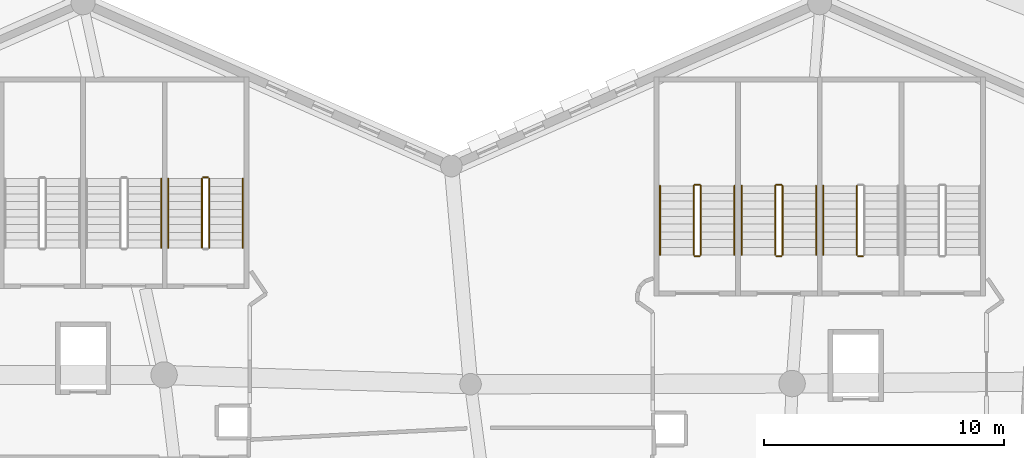
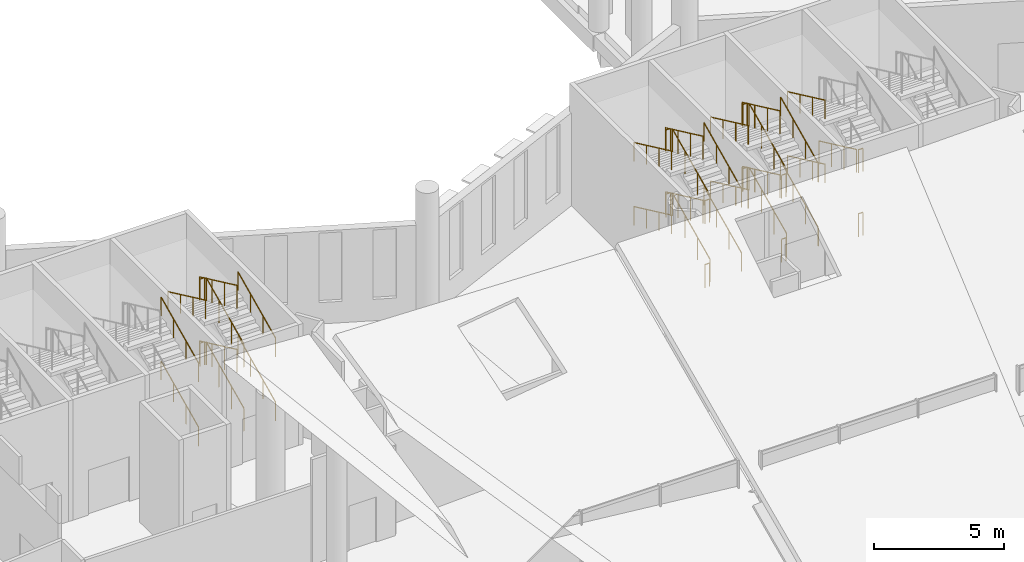
# One storey, part 238 of 249: 40 railings.
"""IFC4 building model written with IfcOpenShell, lengths in metres."""

import ifcopenshell
import ifcopenshell.guid

model = None  # the IFC model being written
_history = None  # IfcOwnerHistory: only IFC2X3 demands one
_inside = {}  # id of a spatial element -> (the spatial element, [elements in it])
_under = {}  # id of a project, library or spatial element -> (it, [spatial elements below it])
_declared = {}  # id of a project -> (the project, [libraries it declares])
_typed = {}  # id of a type object -> (the type object, [elements of that type])
_made_of = {}  # id of a material, layer set ... -> (it, [elements and type objects made of it])


def new_model(schema):
    """Start an empty IFC model of exactly this schema.

    Asked for "IFC4X3", IfcOpenShell would pick the latest addendum, in which some entities
    have other attributes; the version numbers below select the first issue.
    IFC2X3 requires an IfcOwnerHistory on every rooted entity: one is made here for all.
    """
    global model, _history
    if schema == "IFC4X3":
        model = ifcopenshell.file(schema_version=(4, 3, 0, 0))
    else:
        model = ifcopenshell.file(schema=schema)
    _inside.clear()
    _under.clear()
    _declared.clear()
    _typed.clear()
    _made_of.clear()
    _history = None
    if model.schema == "IFC2X3":
        org = make("IfcOrganization", Name="unknown")
        user = make(
            "IfcPersonAndOrganization",
            ThePerson=make("IfcPerson", FamilyName="unknown"),
            TheOrganization=org,
        )
        app = make(
            "IfcApplication",
            ApplicationDeveloper=org,
            Version="unknown",
            ApplicationFullName="unknown",
            ApplicationIdentifier="unknown",
        )
        _history = make(
            "IfcOwnerHistory",
            OwningUser=user,
            OwningApplication=app,
            ChangeAction="ADDED",
            CreationDate=0,
        )
    return model


def make(cls, **values):
    """One entity of the class cls with the attributes given. An attribute that is None is left unset."""
    return model.create_entity(
        cls, **{name: value for name, value in values.items() if value is not None}
    )


def rooted(cls, **values):
    """An entity with a GlobalId (a new one), such as an element, a storey or a relation."""
    return make(cls, GlobalId=ifcopenshell.guid.new(), OwnerHistory=_history, **values)


def si_unit(unit_type, name, prefix=None):
    """IfcSIUnit, for example si_unit("LENGTHUNIT", "METRE", prefix="MILLI")."""
    return make("IfcSIUnit", UnitType=unit_type, Prefix=prefix, Name=name)


def assignment(units):
    """IfcUnitAssignment: the units of a project."""
    return None if units is None else make("IfcUnitAssignment", Units=units)


def point(xyz):
    """IfcCartesianPoint."""
    return None if xyz is None else make("IfcCartesianPoint", Coordinates=xyz)


def direction(xyz):
    """IfcDirection."""
    return None if xyz is None else make("IfcDirection", DirectionRatios=xyz)


def frame(location, z_axis=None, x_axis=None):
    """IfcAxis2Placement3D, a coordinate frame: its origin and axes. An axis left out is left unset."""
    return make(
        "IfcAxis2Placement3D",
        Location=point(location),
        Axis=direction(z_axis),
        RefDirection=direction(x_axis),
    )


def frame_2d(location, x_axis=None):
    """IfcAxis2Placement2D, a coordinate frame in the plane: its origin and x axis."""
    return make(
        "IfcAxis2Placement2D", Location=point(location), RefDirection=direction(x_axis)
    )


def origin():
    """The frame at (0, 0, 0) with its axes left unset."""
    return frame((0.0, 0.0, 0.0))


def origin_2d():
    """The frame at (0, 0) in the plane with its x axis left unset."""
    return frame_2d((0.0, 0.0))


def place(relative_to, where):
    """IfcLocalPlacement: puts the frame where relative to a parent placement (None: the world)."""
    return make(
        "IfcLocalPlacement", PlacementRelTo=relative_to, RelativePlacement=where
    )


def context(
    kind, dimensions, precision=None, world=None, true_north=None, identifier=None
):
    """IfcGeometricRepresentationContext, for example the 3D "Model" context."""
    return make(
        "IfcGeometricRepresentationContext",
        ContextIdentifier=identifier,
        ContextType=kind,
        CoordinateSpaceDimension=dimensions,
        Precision=precision,
        WorldCoordinateSystem=world,
        TrueNorth=true_north,
    )


def subcontext(parent, identifier, kind, view, scale=None):
    """IfcGeometricRepresentationSubContext, for example "Body" below "Model"."""
    return make(
        "IfcGeometricRepresentationSubContext",
        ContextIdentifier=identifier,
        ContextType=kind,
        ParentContext=parent,
        TargetScale=scale,
        TargetView=view,
    )


def project(units=None, contexts=None):
    """IfcProject with its units and contexts."""
    return rooted(
        "IfcProject",
        Name="project",
        RepresentationContexts=contexts,
        UnitsInContext=assignment(units),
    )


def spatial(cls, under=None, at=None, **own):
    """A site, building, storey or space (cls), placed at a placement, below another one or the project."""
    s = rooted(cls, ObjectPlacement=at, **own)
    if under is not None:
        _under.setdefault(under.id(), (under, []))[1].append(s)
    return s


def profile(cls, at=None, kind="AREA", **sizes):
    """A parametric profile (cls). Its sizes go by their IFC names, for example OverallWidth=200.0."""
    return make(cls, ProfileType=kind, Position=at, **sizes)


def circle(**sizes):
    """IfcCircleProfileDef."""
    return profile("IfcCircleProfileDef", **sizes)


def extrude(swept, where, along, depth):
    """IfcExtrudedAreaSolid: the profile swept, set in the frame where, extruded along a direction by depth."""
    return make(
        "IfcExtrudedAreaSolid",
        SweptArea=swept,
        Position=where,
        ExtrudedDirection=direction(along),
        Depth=depth,
    )


def shape(context_of_items, identifier, shape_type, items):
    """IfcShapeRepresentation: the items that make up one representation, for example the "Body"."""
    return make(
        "IfcShapeRepresentation",
        ContextOfItems=context_of_items,
        RepresentationIdentifier=identifier,
        RepresentationType=shape_type,
        Items=items,
    )


def material(Name=None, Category=None):
    """IfcMaterial."""
    return make("IfcMaterial", Name=Name, Category=Category)


def made_of(thing, what):
    """Note that an element or type object is made of a material, layer set ...; save() writes the relation."""
    if what is not None:
        _made_of.setdefault(what.id(), (what, []))[1].append(thing)
    return thing


def type_object(cls, material=None, **own):
    """A type object (cls), such as IfcWallType, which elements share."""
    return made_of(rooted(cls, **own), material)


def element(
    cls,
    number,
    at=None,
    inside=None,
    cuts=None,
    type_object=None,
    material=None,
    context=None,
    identifier="Body",
    shape_type=None,
    held_by="IfcProductDefinitionShape",
    body=None,
    shapes=None,
    **own,
):
    """One element of the class cls, such as IfcWall. Its Tag is "e" and its number.

    at: its placement. inside: the storey or other place that contains it. cuts: it is an
    opening in that element (IfcRelVoidsElement). A single representation is given by context,
    identifier, shape_type and body (its items); several are given by shapes. held_by: the class
    of the entity that holds the representations. save() writes the other relations.
    """
    e = rooted(cls, Tag="e%d" % number, ObjectPlacement=at, **own)
    if body is not None:
        shapes = [shape(context, identifier, shape_type, body)]
    if shapes is not None:
        e.Representation = make(held_by, Representations=shapes)
    if inside is not None:
        _inside.setdefault(inside.id(), (inside, []))[1].append(e)
    if cuts is not None:
        rooted(
            "IfcRelVoidsElement", RelatingBuildingElement=cuts, RelatedOpeningElement=e
        )
    if type_object is not None:
        _typed.setdefault(type_object.id(), (type_object, []))[1].append(e)
    return made_of(e, material)


def aggregate(whole, parts):
    """IfcRelAggregates: a whole, such as a stair, and the parts it consists of."""
    return rooted("IfcRelAggregates", RelatingObject=whole, RelatedObjects=parts)


def save(model, path):
    """Write the relations noted so far, then the file.

    IfcRelAggregates (storeys below a building ...), IfcRelContainedInSpatialStructure (elements
    in a storey), IfcRelDefinesByType, IfcRelAssociatesMaterial and IfcRelDeclares: one each for
    every whole, place, type object, material and project.
    """
    for whole, parts in _under.values():
        aggregate(whole, parts)
    for where, things in _inside.values():
        rooted(
            "IfcRelContainedInSpatialStructure",
            RelatedElements=things,
            RelatingStructure=where,
        )
    for kind, things in _typed.values():
        rooted("IfcRelDefinesByType", RelatedObjects=things, RelatingType=kind)
    for what, things in _made_of.values():
        rooted("IfcRelAssociatesMaterial", RelatedObjects=things, RelatingMaterial=what)
    for by, libraries in _declared.values():
        rooted("IfcRelDeclares", RelatingContext=by, RelatedDefinitions=libraries)
    model.write(path)


model = new_model("IFC4")

# Units and contexts
model_context = context("Model", 3, precision=1e-05, world=origin(), true_north=direction((0.0, 1.0)))
body_context = subcontext(model_context, "Body", "Model", "MODEL_VIEW")
ifc_project = project(units=[si_unit("LENGTHUNIT", "METRE"), si_unit("AREAUNIT", "SQUARE_METRE"), si_unit("VOLUMEUNIT", "CUBIC_METRE"), si_unit("PLANEANGLEUNIT", "RADIAN"), si_unit("MASSUNIT", "GRAM", prefix="KILO")], contexts=[model_context])

# Site, building, storey
site_placement = place(None, origin())
site = spatial("IfcSite", under=ifc_project, at=site_placement, CompositionType="ELEMENT")
building_placement = place(site_placement, origin())
building = spatial("IfcBuilding", under=site, at=building_placement, Name="Meseta Stadium", CompositionType="ELEMENT")
storey_placement = place(building_placement, frame((0.0, 0.0, 12.0)))
storey = spatial("IfcBuildingStorey", under=building, at=storey_placement, Name="L02", CompositionType="ELEMENT", Elevation=12.0)

# Railings
ifc_material_1 = material(Name="Steel S355", Category="steel")
railing_type_1 = type_object("IfcRailingType", Name="Stair guard 1100", PredefinedType="GUARDRAIL", material=ifc_material_1)
railing_1_placement = place(storey_placement, frame((9.216552734375, 97.780029296875, 1.64990234375)))
element("IfcRailing", 1, at=railing_1_placement, inside=storey, type_object=railing_type_1, Name="ST38 L02 guard 3", PredefinedType="GUARDRAIL", context=body_context, shape_type="SweptSolid", body=[
    extrude(circle(Radius=0.02392578125, at=origin_2d()), frame((0.0, 0.0, 1.076171875), z_axis=(0.0, -0.905454327043, 0.424443708447), x_axis=(1.0, 0.0, 0.0)), (0.0, 0.0, 1.0), 3.180908203125),
    extrude(circle(Radius=0.02099609375, at=origin_2d()), origin(), (0.0, 0.0, 1.0), 1.052001953125),
    extrude(circle(Radius=0.02099609375, at=origin_2d()), frame((0.0, -0.9599609375, 0.449951171875)), (0.0, 0.0, 1.0), 1.052001953125),
    extrude(circle(Radius=0.02099609375, at=origin_2d()), frame((0.0, -1.920166015625, 0.900146484375)), (0.0, 0.0, 1.0), 1.052001953125),
    extrude(circle(Radius=0.02099609375, at=origin_2d()), frame((0.0, -2.880126953125, 1.35009765625)), (0.0, 0.0, 1.0), 1.052001953125),
])
for number, where, name in (
    (2, (9.466552734375, 94.85009765625, 3.0), "ST38 L02 guard 4"),
    (3, (9.466552734375, 94.85009765625, 0.0), "ST38 L02 guard 8"),
):
    element("IfcRailing", number, at=place(storey_placement, frame(where)), inside=storey, type_object=railing_type_1, Name=name, PredefinedType="GUARDRAIL", context=body_context, shape_type="SweptSolid", body=[
        extrude(circle(Radius=0.02392578125, at=origin_2d()), frame((0.0, 0.0, 1.076171875), z_axis=(-1.0, 0.0, 0.0), x_axis=(0.0, -1.0, 0.0)), (0.0, 0.0, 1.0), 0.199951171875),
        extrude(circle(Radius=0.02099609375, at=origin_2d()), origin(), (0.0, 0.0, 1.0), 1.052001953125),
        extrude(circle(Radius=0.02099609375, at=origin_2d()), frame((-0.199951171875, 0.0, 0.0)), (0.0, 0.0, 1.0), 1.052001953125),
    ])
railing_2_placement = place(storey_placement, frame((6.11669921875, 94.89990234375, 0.14990234375)))
element("IfcRailing", 4, at=railing_2_placement, inside=storey, type_object=railing_type_1, Name="ST39 L02 guard 1", PredefinedType="GUARDRAIL", context=body_context, shape_type="SweptSolid", body=[
    extrude(circle(Radius=0.02392578125, at=origin_2d()), frame((0.0, 0.0, 1.076171875), z_axis=(0.0, 0.905454327043, 0.424443708447), x_axis=(-1.0, 0.0, 0.0)), (0.0, 0.0, 1.0), 3.180908203125),
    extrude(circle(Radius=0.02099609375, at=origin_2d()), origin(), (0.0, 0.0, 1.0), 1.052001953125),
    extrude(circle(Radius=0.02099609375, at=origin_2d()), frame((0.0, 0.9599609375, 0.449951171875)), (0.0, 0.0, 1.0), 1.052001953125),
    extrude(circle(Radius=0.02099609375, at=origin_2d()), frame((0.0, 1.920166015625, 0.900146484375)), (0.0, 0.0, 1.0), 1.052001953125),
    extrude(circle(Radius=0.02099609375, at=origin_2d()), frame((0.0, 2.880126953125, 1.35009765625)), (0.0, 0.0, 1.0), 1.052001953125),
])
railing_3_placement = place(storey_placement, frame((6.066650390625, 97.830078125, 1.5)))
element("IfcRailing", 5, at=railing_3_placement, inside=storey, type_object=railing_type_1, Name="ST39 L02 guard 2", PredefinedType="GUARDRAIL", context=body_context, shape_type="SweptSolid", body=[
    extrude(circle(Radius=0.02392578125, at=origin_2d()), frame((0.0, 0.0, 1.076171875), z_axis=(-1.0, 0.0, 0.0), x_axis=(0.0, -1.0, 0.0)), (0.0, 0.0, 1.0), 0.199951171875),
    extrude(circle(Radius=0.02099609375, at=origin_2d()), origin(), (0.0, 0.0, 1.0), 1.052001953125),
    extrude(circle(Radius=0.02099609375, at=origin_2d()), frame((-0.199951171875, 0.0, 0.0)), (0.0, 0.0, 1.0), 1.052001953125),
])
railing_4_placement = place(storey_placement, frame((5.816650390625, 97.780029296875, 1.64990234375)))
element("IfcRailing", 6, at=railing_4_placement, inside=storey, type_object=railing_type_1, Name="ST39 L02 guard 3", PredefinedType="GUARDRAIL", context=body_context, shape_type="SweptSolid", body=[
    extrude(circle(Radius=0.02392578125, at=origin_2d()), frame((0.0, 0.0, 1.076171875), z_axis=(0.0, -0.905454327043, 0.424443708447), x_axis=(1.0, 0.0, 0.0)), (0.0, 0.0, 1.0), 3.180908203125),
    extrude(circle(Radius=0.02099609375, at=origin_2d()), origin(), (0.0, 0.0, 1.0), 1.052001953125),
    extrude(circle(Radius=0.02099609375, at=origin_2d()), frame((0.0, -0.9599609375, 0.449951171875)), (0.0, 0.0, 1.0), 1.052001953125),
    extrude(circle(Radius=0.02099609375, at=origin_2d()), frame((0.0, -1.920166015625, 0.900146484375)), (0.0, 0.0, 1.0), 1.052001953125),
    extrude(circle(Radius=0.02099609375, at=origin_2d()), frame((0.0, -2.880126953125, 1.35009765625)), (0.0, 0.0, 1.0), 1.052001953125),
])
railing_5_placement = place(storey_placement, frame((6.066650390625, 94.85009765625, 3.0)))
element("IfcRailing", 7, at=railing_5_placement, inside=storey, type_object=railing_type_1, Name="ST39 L02 guard 4", PredefinedType="GUARDRAIL", context=body_context, shape_type="SweptSolid", body=[
    extrude(circle(Radius=0.02392578125, at=origin_2d()), frame((0.0, 0.0, 1.076171875), z_axis=(-1.0, 0.0, 0.0), x_axis=(0.0, -1.0, 0.0)), (0.0, 0.0, 1.0), 0.199951171875),
    extrude(circle(Radius=0.02099609375, at=origin_2d()), origin(), (0.0, 0.0, 1.0), 1.052001953125),
    extrude(circle(Radius=0.02099609375, at=origin_2d()), frame((-0.199951171875, 0.0, 0.0)), (0.0, 0.0, 1.0), 1.052001953125),
])
railing_6_placement = place(storey_placement, frame((6.11669921875, 94.89990234375, 3.14990234375)))
element("IfcRailing", 8, at=railing_6_placement, inside=storey, type_object=railing_type_1, Name="ST39 L02 guard 5", PredefinedType="GUARDRAIL", context=body_context, shape_type="SweptSolid", body=[
    extrude(circle(Radius=0.02392578125, at=origin_2d()), frame((0.0, 0.0, 1.076171875), z_axis=(0.0, 0.905454327043, 0.424443708447), x_axis=(-1.0, 0.0, 0.0)), (0.0, 0.0, 1.0), 3.180908203125),
    extrude(circle(Radius=0.02099609375, at=origin_2d()), origin(), (0.0, 0.0, 1.0), 1.052001953125),
    extrude(circle(Radius=0.02099609375, at=origin_2d()), frame((0.0, 0.9599609375, 0.449951171875)), (0.0, 0.0, 1.0), 1.052001953125),
    extrude(circle(Radius=0.02099609375, at=origin_2d()), frame((0.0, 1.920166015625, 0.900146484375)), (0.0, 0.0, 1.0), 1.052001953125),
    extrude(circle(Radius=0.02099609375, at=origin_2d()), frame((0.0, 2.880126953125, 1.35009765625)), (0.0, 0.0, 1.0), 1.052001953125),
])
railing_7_placement = place(storey_placement, frame((6.066650390625, 97.830078125, 4.5)))
element("IfcRailing", 9, at=railing_7_placement, inside=storey, type_object=railing_type_1, Name="ST39 L02 guard 6", PredefinedType="GUARDRAIL", context=body_context, shape_type="SweptSolid", body=[
    extrude(circle(Radius=0.02392578125, at=origin_2d()), frame((0.0, 0.0, 1.076171875), z_axis=(-1.0, 0.0, 0.0), x_axis=(0.0, -1.0, 0.0)), (0.0, 0.0, 1.0), 0.199951171875),
    extrude(circle(Radius=0.02099609375, at=origin_2d()), origin(), (0.0, 0.0, 1.0), 1.052001953125),
    extrude(circle(Radius=0.02099609375, at=origin_2d()), frame((-0.199951171875, 0.0, 0.0)), (0.0, 0.0, 1.0), 1.052001953125),
])
railing_8_placement = place(storey_placement, frame((5.816650390625, 97.780029296875, 4.64990234375)))
element("IfcRailing", 10, at=railing_8_placement, inside=storey, type_object=railing_type_1, Name="ST39 L02 guard 7", PredefinedType="GUARDRAIL", context=body_context, shape_type="SweptSolid", body=[
    extrude(circle(Radius=0.02392578125, at=origin_2d()), frame((0.0, 0.0, 1.076171875), z_axis=(0.0, -0.905454327043, 0.424443708447), x_axis=(1.0, 0.0, 0.0)), (0.0, 0.0, 1.0), 3.180908203125),
    extrude(circle(Radius=0.02099609375, at=origin_2d()), origin(), (0.0, 0.0, 1.0), 1.052001953125),
    extrude(circle(Radius=0.02099609375, at=origin_2d()), frame((0.0, -0.9599609375, 0.449951171875)), (0.0, 0.0, 1.0), 1.052001953125),
    extrude(circle(Radius=0.02099609375, at=origin_2d()), frame((0.0, -1.920166015625, 0.900146484375)), (0.0, 0.0, 1.0), 1.052001953125),
    extrude(circle(Radius=0.02099609375, at=origin_2d()), frame((0.0, -2.880126953125, 1.35009765625)), (0.0, 0.0, 1.0), 1.052001953125),
])
railing_9_placement = place(storey_placement, frame((6.066650390625, 94.85009765625, 0.0)))
element("IfcRailing", 11, at=railing_9_placement, inside=storey, type_object=railing_type_1, Name="ST39 L02 guard 8", PredefinedType="GUARDRAIL", context=body_context, shape_type="SweptSolid", body=[
    extrude(circle(Radius=0.02392578125, at=origin_2d()), frame((0.0, 0.0, 1.076171875), z_axis=(-1.0, 0.0, 0.0), x_axis=(0.0, -1.0, 0.0)), (0.0, 0.0, 1.0), 0.199951171875),
    extrude(circle(Radius=0.02099609375, at=origin_2d()), origin(), (0.0, 0.0, 1.0), 1.052001953125),
    extrude(circle(Radius=0.02099609375, at=origin_2d()), frame((-0.199951171875, 0.0, 0.0)), (0.0, 0.0, 1.0), 1.052001953125),
])
railing_10_placement = place(storey_placement, frame((2.716552734375, 94.89990234375, 0.14990234375)))
element("IfcRailing", 12, at=railing_10_placement, inside=storey, type_object=railing_type_1, Name="ST40 L02 guard 1", PredefinedType="GUARDRAIL", context=body_context, shape_type="SweptSolid", body=[
    extrude(circle(Radius=0.02392578125, at=origin_2d()), frame((0.0, 0.0, 1.076171875), z_axis=(0.0, 0.905454327043, 0.424443708447), x_axis=(-1.0, 0.0, 0.0)), (0.0, 0.0, 1.0), 3.180908203125),
    extrude(circle(Radius=0.02099609375, at=origin_2d()), origin(), (0.0, 0.0, 1.0), 1.052001953125),
    extrude(circle(Radius=0.02099609375, at=origin_2d()), frame((0.0, 0.9599609375, 0.449951171875)), (0.0, 0.0, 1.0), 1.052001953125),
    extrude(circle(Radius=0.02099609375, at=origin_2d()), frame((0.0, 1.920166015625, 0.900146484375)), (0.0, 0.0, 1.0), 1.052001953125),
    extrude(circle(Radius=0.02099609375, at=origin_2d()), frame((0.0, 2.880126953125, 1.35009765625)), (0.0, 0.0, 1.0), 1.052001953125),
])
railing_11_placement = place(storey_placement, frame((2.666748046875, 97.830078125, 1.5)))
element("IfcRailing", 13, at=railing_11_placement, inside=storey, type_object=railing_type_1, Name="ST40 L02 guard 2", PredefinedType="GUARDRAIL", context=body_context, shape_type="SweptSolid", body=[
    extrude(circle(Radius=0.02392578125, at=origin_2d()), frame((0.0, 0.0, 1.076171875), z_axis=(-1.0, 0.0, 0.0), x_axis=(0.0, -1.0, 0.0)), (0.0, 0.0, 1.0), 0.2001953125),
    extrude(circle(Radius=0.02099609375, at=origin_2d()), origin(), (0.0, 0.0, 1.0), 1.052001953125),
    extrude(circle(Radius=0.02099609375, at=origin_2d()), frame((-0.2001953125, 0.0, 0.0)), (0.0, 0.0, 1.0), 1.052001953125),
])
railing_12_placement = place(storey_placement, frame((2.416748046875, 97.780029296875, 1.64990234375)))
element("IfcRailing", 14, at=railing_12_placement, inside=storey, type_object=railing_type_1, Name="ST40 L02 guard 3", PredefinedType="GUARDRAIL", context=body_context, shape_type="SweptSolid", body=[
    extrude(circle(Radius=0.02392578125, at=origin_2d()), frame((0.0, 0.0, 1.076171875), z_axis=(0.0, -0.905454327043, 0.424443708447), x_axis=(1.0, 0.0, 0.0)), (0.0, 0.0, 1.0), 3.180908203125),
    extrude(circle(Radius=0.02099609375, at=origin_2d()), origin(), (0.0, 0.0, 1.0), 1.052001953125),
    extrude(circle(Radius=0.02099609375, at=origin_2d()), frame((0.0, -0.9599609375, 0.449951171875)), (0.0, 0.0, 1.0), 1.052001953125),
    extrude(circle(Radius=0.02099609375, at=origin_2d()), frame((0.0, -1.920166015625, 0.900146484375)), (0.0, 0.0, 1.0), 1.052001953125),
    extrude(circle(Radius=0.02099609375, at=origin_2d()), frame((0.0, -2.880126953125, 1.35009765625)), (0.0, 0.0, 1.0), 1.052001953125),
])
railing_13_placement = place(storey_placement, frame((2.666748046875, 94.85009765625, 3.0)))
element("IfcRailing", 15, at=railing_13_placement, inside=storey, type_object=railing_type_1, Name="ST40 L02 guard 4", PredefinedType="GUARDRAIL", context=body_context, shape_type="SweptSolid", body=[
    extrude(circle(Radius=0.02392578125, at=origin_2d()), frame((0.0, 0.0, 1.076171875), z_axis=(-1.0, 0.0, 0.0), x_axis=(0.0, -1.0, 0.0)), (0.0, 0.0, 1.0), 0.2001953125),
    extrude(circle(Radius=0.02099609375, at=origin_2d()), origin(), (0.0, 0.0, 1.0), 1.052001953125),
    extrude(circle(Radius=0.02099609375, at=origin_2d()), frame((-0.2001953125, 0.0, 0.0)), (0.0, 0.0, 1.0), 1.052001953125),
])
railing_14_placement = place(storey_placement, frame((2.716552734375, 94.89990234375, 3.14990234375)))
element("IfcRailing", 16, at=railing_14_placement, inside=storey, type_object=railing_type_1, Name="ST40 L02 guard 5", PredefinedType="GUARDRAIL", context=body_context, shape_type="SweptSolid", body=[
    extrude(circle(Radius=0.02392578125, at=origin_2d()), frame((0.0, 0.0, 1.076171875), z_axis=(0.0, 0.905454327043, 0.424443708447), x_axis=(-1.0, 0.0, 0.0)), (0.0, 0.0, 1.0), 3.180908203125),
    extrude(circle(Radius=0.02099609375, at=origin_2d()), origin(), (0.0, 0.0, 1.0), 1.052001953125),
    extrude(circle(Radius=0.02099609375, at=origin_2d()), frame((0.0, 0.9599609375, 0.449951171875)), (0.0, 0.0, 1.0), 1.052001953125),
    extrude(circle(Radius=0.02099609375, at=origin_2d()), frame((0.0, 1.920166015625, 0.900146484375)), (0.0, 0.0, 1.0), 1.052001953125),
    extrude(circle(Radius=0.02099609375, at=origin_2d()), frame((0.0, 2.880126953125, 1.35009765625)), (0.0, 0.0, 1.0), 1.052001953125),
])
railing_15_placement = place(storey_placement, frame((2.666748046875, 97.830078125, 4.5)))
element("IfcRailing", 17, at=railing_15_placement, inside=storey, type_object=railing_type_1, Name="ST40 L02 guard 6", PredefinedType="GUARDRAIL", context=body_context, shape_type="SweptSolid", body=[
    extrude(circle(Radius=0.02392578125, at=origin_2d()), frame((0.0, 0.0, 1.076171875), z_axis=(-1.0, 0.0, 0.0), x_axis=(0.0, -1.0, 0.0)), (0.0, 0.0, 1.0), 0.2001953125),
    extrude(circle(Radius=0.02099609375, at=origin_2d()), origin(), (0.0, 0.0, 1.0), 1.052001953125),
    extrude(circle(Radius=0.02099609375, at=origin_2d()), frame((-0.2001953125, 0.0, 0.0)), (0.0, 0.0, 1.0), 1.052001953125),
])
railing_16_placement = place(storey_placement, frame((2.416748046875, 97.780029296875, 4.64990234375)))
element("IfcRailing", 18, at=railing_16_placement, inside=storey, type_object=railing_type_1, Name="ST40 L02 guard 7", PredefinedType="GUARDRAIL", context=body_context, shape_type="SweptSolid", body=[
    extrude(circle(Radius=0.02392578125, at=origin_2d()), frame((0.0, 0.0, 1.076171875), z_axis=(0.0, -0.905454327043, 0.424443708447), x_axis=(1.0, 0.0, 0.0)), (0.0, 0.0, 1.0), 3.180908203125),
    extrude(circle(Radius=0.02099609375, at=origin_2d()), origin(), (0.0, 0.0, 1.0), 1.052001953125),
    extrude(circle(Radius=0.02099609375, at=origin_2d()), frame((0.0, -0.9599609375, 0.449951171875)), (0.0, 0.0, 1.0), 1.052001953125),
    extrude(circle(Radius=0.02099609375, at=origin_2d()), frame((0.0, -1.920166015625, 0.900146484375)), (0.0, 0.0, 1.0), 1.052001953125),
    extrude(circle(Radius=0.02099609375, at=origin_2d()), frame((0.0, -2.880126953125, 1.35009765625)), (0.0, 0.0, 1.0), 1.052001953125),
])
railing_17_placement = place(storey_placement, frame((2.666748046875, 94.85009765625, 0.0)))
element("IfcRailing", 19, at=railing_17_placement, inside=storey, type_object=railing_type_1, Name="ST40 L02 guard 8", PredefinedType="GUARDRAIL", context=body_context, shape_type="SweptSolid", body=[
    extrude(circle(Radius=0.02392578125, at=origin_2d()), frame((0.0, 0.0, 1.076171875), z_axis=(-1.0, 0.0, 0.0), x_axis=(0.0, -1.0, 0.0)), (0.0, 0.0, 1.0), 0.2001953125),
    extrude(circle(Radius=0.02099609375, at=origin_2d()), origin(), (0.0, 0.0, 1.0), 1.052001953125),
    extrude(circle(Radius=0.02099609375, at=origin_2d()), frame((-0.2001953125, 0.0, 0.0)), (0.0, 0.0, 1.0), 1.052001953125),
])
railing_18_placement = place(storey_placement, frame((-17.75, 95.199951171875, 0.14990234375)))
element("IfcRailing", 20, at=railing_18_placement, inside=storey, type_object=railing_type_1, Name="ST41 L02 guard 1", PredefinedType="GUARDRAIL", context=body_context, shape_type="SweptSolid", body=[
    extrude(circle(Radius=0.02392578125, at=origin_2d()), frame((0.0, 0.0, 1.076171875), z_axis=(0.0, 0.905454327043, 0.424443708447), x_axis=(-1.0, 0.0, 0.0)), (0.0, 0.0, 1.0), 3.180908203125),
    extrude(circle(Radius=0.02099609375, at=origin_2d()), origin(), (0.0, 0.0, 1.0), 1.052001953125),
    extrude(circle(Radius=0.02099609375, at=origin_2d()), frame((0.0, 0.9599609375, 0.449951171875)), (0.0, 0.0, 1.0), 1.052001953125),
    extrude(circle(Radius=0.02099609375, at=origin_2d()), frame((0.0, 1.920166015625, 0.900146484375)), (0.0, 0.0, 1.0), 1.052001953125),
    extrude(circle(Radius=0.02099609375, at=origin_2d()), frame((0.0, 2.880126953125, 1.35009765625)), (0.0, 0.0, 1.0), 1.052001953125),
])
railing_19_placement = place(storey_placement, frame((-17.800048828125, 98.1298828125, 1.5)))
element("IfcRailing", 21, at=railing_19_placement, inside=storey, type_object=railing_type_1, Name="ST41 L02 guard 2", PredefinedType="GUARDRAIL", context=body_context, shape_type="SweptSolid", body=[
    extrude(circle(Radius=0.02392578125, at=origin_2d()), frame((0.0, 0.0, 1.076171875), z_axis=(-1.0, 0.0, 0.0), x_axis=(0.0, -1.0, 0.0)), (0.0, 0.0, 1.0), 0.199951171875),
    extrude(circle(Radius=0.02099609375, at=origin_2d()), origin(), (0.0, 0.0, 1.0), 1.052001953125),
    extrude(circle(Radius=0.02099609375, at=origin_2d()), frame((-0.199951171875, 0.0, 0.0)), (0.0, 0.0, 1.0), 1.052001953125),
])
railing_20_placement = place(storey_placement, frame((-18.050048828125, 98.080078125, 1.64990234375)))
element("IfcRailing", 22, at=railing_20_placement, inside=storey, type_object=railing_type_1, Name="ST41 L02 guard 3", PredefinedType="GUARDRAIL", context=body_context, shape_type="SweptSolid", body=[
    extrude(circle(Radius=0.02392578125, at=origin_2d()), frame((0.0, 0.0, 1.076171875), z_axis=(0.0, -0.905454327043, 0.424443708447), x_axis=(1.0, 0.0, 0.0)), (0.0, 0.0, 1.0), 3.180908203125),
    extrude(circle(Radius=0.02099609375, at=origin_2d()), origin(), (0.0, 0.0, 1.0), 1.052001953125),
    extrude(circle(Radius=0.02099609375, at=origin_2d()), frame((0.0, -0.9599609375, 0.449951171875)), (0.0, 0.0, 1.0), 1.052001953125),
    extrude(circle(Radius=0.02099609375, at=origin_2d()), frame((0.0, -1.920166015625, 0.900146484375)), (0.0, 0.0, 1.0), 1.052001953125),
    extrude(circle(Radius=0.02099609375, at=origin_2d()), frame((0.0, -2.880126953125, 1.35009765625)), (0.0, 0.0, 1.0), 1.052001953125),
])
railing_21_placement = place(storey_placement, frame((-17.75, 95.199951171875, 3.14990234375)))
element("IfcRailing", 23, at=railing_21_placement, inside=storey, type_object=railing_type_1, Name="ST41 L02 guard 5", PredefinedType="GUARDRAIL", context=body_context, shape_type="SweptSolid", body=[
    extrude(circle(Radius=0.02392578125, at=origin_2d()), frame((0.0, 0.0, 1.076171875), z_axis=(0.0, 0.905454327043, 0.424443708447), x_axis=(-1.0, 0.0, 0.0)), (0.0, 0.0, 1.0), 3.180908203125),
    extrude(circle(Radius=0.02099609375, at=origin_2d()), origin(), (0.0, 0.0, 1.0), 1.052001953125),
    extrude(circle(Radius=0.02099609375, at=origin_2d()), frame((0.0, 0.9599609375, 0.449951171875)), (0.0, 0.0, 1.0), 1.052001953125),
    extrude(circle(Radius=0.02099609375, at=origin_2d()), frame((0.0, 1.920166015625, 0.900146484375)), (0.0, 0.0, 1.0), 1.052001953125),
    extrude(circle(Radius=0.02099609375, at=origin_2d()), frame((0.0, 2.880126953125, 1.35009765625)), (0.0, 0.0, 1.0), 1.052001953125),
])
railing_22_placement = place(storey_placement, frame((-17.800048828125, 98.1298828125, 4.5)))
element("IfcRailing", 24, at=railing_22_placement, inside=storey, type_object=railing_type_1, Name="ST41 L02 guard 6", PredefinedType="GUARDRAIL", context=body_context, shape_type="SweptSolid", body=[
    extrude(circle(Radius=0.02392578125, at=origin_2d()), frame((0.0, 0.0, 1.076171875), z_axis=(-1.0, 0.0, 0.0), x_axis=(0.0, -1.0, 0.0)), (0.0, 0.0, 1.0), 0.199951171875),
    extrude(circle(Radius=0.02099609375, at=origin_2d()), origin(), (0.0, 0.0, 1.0), 1.052001953125),
    extrude(circle(Radius=0.02099609375, at=origin_2d()), frame((-0.199951171875, 0.0, 0.0)), (0.0, 0.0, 1.0), 1.052001953125),
])
railing_23_placement = place(storey_placement, frame((-18.050048828125, 98.080078125, 4.64990234375)))
element("IfcRailing", 25, at=railing_23_placement, inside=storey, type_object=railing_type_1, Name="ST41 L02 guard 7", PredefinedType="GUARDRAIL", context=body_context, shape_type="SweptSolid", body=[
    extrude(circle(Radius=0.02392578125, at=origin_2d()), frame((0.0, 0.0, 1.076171875), z_axis=(0.0, -0.905454327043, 0.424443708447), x_axis=(1.0, 0.0, 0.0)), (0.0, 0.0, 1.0), 3.180908203125),
    extrude(circle(Radius=0.02099609375, at=origin_2d()), origin(), (0.0, 0.0, 1.0), 1.052001953125),
    extrude(circle(Radius=0.02099609375, at=origin_2d()), frame((0.0, -0.9599609375, 0.449951171875)), (0.0, 0.0, 1.0), 1.052001953125),
    extrude(circle(Radius=0.02099609375, at=origin_2d()), frame((0.0, -1.920166015625, 0.900146484375)), (0.0, 0.0, 1.0), 1.052001953125),
    extrude(circle(Radius=0.02099609375, at=origin_2d()), frame((0.0, -2.880126953125, 1.35009765625)), (0.0, 0.0, 1.0), 1.052001953125),
])
ifc_material_2 = material(Name="Steel S355", Category="steel")
railing_type_2 = type_object("IfcRailingType", Name="Stair handrail 900", PredefinedType="HANDRAIL", material=ifc_material_2)
for number, where, name in (
    (26, (7.816650390625, 97.780029296875, 1.64990234375), "ST38 L02 handrail 2"),
    (27, (7.816650390625, 97.780029296875, 4.64990234375), "ST38 L02 handrail 4"),
):
    element("IfcRailing", number, at=place(storey_placement, frame(where)), inside=storey, type_object=railing_type_2, Name=name, PredefinedType="HANDRAIL", context=body_context, shape_type="SweptSolid", body=[
        extrude(circle(Radius=0.02392578125, at=origin_2d()), frame((0.0, 0.0, 0.8759765625), z_axis=(0.0, -0.905454327043, 0.424443708447), x_axis=(1.0, 0.0, 0.0)), (0.0, 0.0, 1.0), 3.180908203125),
        extrude(circle(Radius=0.02099609375, at=origin_2d()), origin(), (0.0, 0.0, 1.0), 0.851806640625),
        extrude(circle(Radius=0.02099609375, at=origin_2d()), frame((0.0, -0.9599609375, 0.449951171875)), (0.0, 0.0, 1.0), 0.851806640625),
        extrude(circle(Radius=0.02099609375, at=origin_2d()), frame((0.0, -1.920166015625, 0.900146484375)), (0.0, 0.0, 1.0), 0.851806640625),
        extrude(circle(Radius=0.02099609375, at=origin_2d()), frame((0.0, -2.880126953125, 1.35009765625)), (0.0, 0.0, 1.0), 0.851806640625),
    ])
railing_24_placement = place(storey_placement, frame((7.5166015625, 94.89990234375, 0.14990234375)))
element("IfcRailing", 28, at=railing_24_placement, inside=storey, type_object=railing_type_2, Name="ST39 L02 handrail 1", PredefinedType="HANDRAIL", context=body_context, shape_type="SweptSolid", body=[
    extrude(circle(Radius=0.02392578125, at=origin_2d()), frame((0.0, 0.0, 0.8759765625), z_axis=(0.0, 0.905454327043, 0.424443708447), x_axis=(-1.0, 0.0, 0.0)), (0.0, 0.0, 1.0), 3.180908203125),
    extrude(circle(Radius=0.02099609375, at=origin_2d()), origin(), (0.0, 0.0, 1.0), 0.851806640625),
    extrude(circle(Radius=0.02099609375, at=origin_2d()), frame((0.0, 0.9599609375, 0.449951171875)), (0.0, 0.0, 1.0), 0.851806640625),
    extrude(circle(Radius=0.02099609375, at=origin_2d()), frame((0.0, 1.920166015625, 0.900146484375)), (0.0, 0.0, 1.0), 0.851806640625),
    extrude(circle(Radius=0.02099609375, at=origin_2d()), frame((0.0, 2.880126953125, 1.35009765625)), (0.0, 0.0, 1.0), 0.851806640625),
])
railing_25_placement = place(storey_placement, frame((4.416748046875, 97.780029296875, 1.64990234375)))
element("IfcRailing", 29, at=railing_25_placement, inside=storey, type_object=railing_type_2, Name="ST39 L02 handrail 2", PredefinedType="HANDRAIL", context=body_context, shape_type="SweptSolid", body=[
    extrude(circle(Radius=0.02392578125, at=origin_2d()), frame((0.0, 0.0, 0.8759765625), z_axis=(0.0, -0.905454327043, 0.424443708447), x_axis=(1.0, 0.0, 0.0)), (0.0, 0.0, 1.0), 3.180908203125),
    extrude(circle(Radius=0.02099609375, at=origin_2d()), origin(), (0.0, 0.0, 1.0), 0.851806640625),
    extrude(circle(Radius=0.02099609375, at=origin_2d()), frame((0.0, -0.9599609375, 0.449951171875)), (0.0, 0.0, 1.0), 0.851806640625),
    extrude(circle(Radius=0.02099609375, at=origin_2d()), frame((0.0, -1.920166015625, 0.900146484375)), (0.0, 0.0, 1.0), 0.851806640625),
    extrude(circle(Radius=0.02099609375, at=origin_2d()), frame((0.0, -2.880126953125, 1.35009765625)), (0.0, 0.0, 1.0), 0.851806640625),
])
railing_26_placement = place(storey_placement, frame((7.5166015625, 94.89990234375, 3.14990234375)))
element("IfcRailing", 30, at=railing_26_placement, inside=storey, type_object=railing_type_2, Name="ST39 L02 handrail 3", PredefinedType="HANDRAIL", context=body_context, shape_type="SweptSolid", body=[
    extrude(circle(Radius=0.02392578125, at=origin_2d()), frame((0.0, 0.0, 0.8759765625), z_axis=(0.0, 0.905454327043, 0.424443708447), x_axis=(-1.0, 0.0, 0.0)), (0.0, 0.0, 1.0), 3.180908203125),
    extrude(circle(Radius=0.02099609375, at=origin_2d()), origin(), (0.0, 0.0, 1.0), 0.851806640625),
    extrude(circle(Radius=0.02099609375, at=origin_2d()), frame((0.0, 0.9599609375, 0.449951171875)), (0.0, 0.0, 1.0), 0.851806640625),
    extrude(circle(Radius=0.02099609375, at=origin_2d()), frame((0.0, 1.920166015625, 0.900146484375)), (0.0, 0.0, 1.0), 0.851806640625),
    extrude(circle(Radius=0.02099609375, at=origin_2d()), frame((0.0, 2.880126953125, 1.35009765625)), (0.0, 0.0, 1.0), 0.851806640625),
])
railing_27_placement = place(storey_placement, frame((4.416748046875, 97.780029296875, 4.64990234375)))
element("IfcRailing", 31, at=railing_27_placement, inside=storey, type_object=railing_type_2, Name="ST39 L02 handrail 4", PredefinedType="HANDRAIL", context=body_context, shape_type="SweptSolid", body=[
    extrude(circle(Radius=0.02392578125, at=origin_2d()), frame((0.0, 0.0, 0.8759765625), z_axis=(0.0, -0.905454327043, 0.424443708447), x_axis=(1.0, 0.0, 0.0)), (0.0, 0.0, 1.0), 3.180908203125),
    extrude(circle(Radius=0.02099609375, at=origin_2d()), origin(), (0.0, 0.0, 1.0), 0.851806640625),
    extrude(circle(Radius=0.02099609375, at=origin_2d()), frame((0.0, -0.9599609375, 0.449951171875)), (0.0, 0.0, 1.0), 0.851806640625),
    extrude(circle(Radius=0.02099609375, at=origin_2d()), frame((0.0, -1.920166015625, 0.900146484375)), (0.0, 0.0, 1.0), 0.851806640625),
    extrude(circle(Radius=0.02099609375, at=origin_2d()), frame((0.0, -2.880126953125, 1.35009765625)), (0.0, 0.0, 1.0), 0.851806640625),
])
railing_28_placement = place(storey_placement, frame((4.11669921875, 94.89990234375, 0.14990234375)))
element("IfcRailing", 32, at=railing_28_placement, inside=storey, type_object=railing_type_2, Name="ST40 L02 handrail 1", PredefinedType="HANDRAIL", context=body_context, shape_type="SweptSolid", body=[
    extrude(circle(Radius=0.02392578125, at=origin_2d()), frame((0.0, 0.0, 0.8759765625), z_axis=(0.0, 0.905454327043, 0.424443708447), x_axis=(-1.0, 0.0, 0.0)), (0.0, 0.0, 1.0), 3.180908203125),
    extrude(circle(Radius=0.02099609375, at=origin_2d()), origin(), (0.0, 0.0, 1.0), 0.851806640625),
    extrude(circle(Radius=0.02099609375, at=origin_2d()), frame((0.0, 0.9599609375, 0.449951171875)), (0.0, 0.0, 1.0), 0.851806640625),
    extrude(circle(Radius=0.02099609375, at=origin_2d()), frame((0.0, 1.920166015625, 0.900146484375)), (0.0, 0.0, 1.0), 0.851806640625),
    extrude(circle(Radius=0.02099609375, at=origin_2d()), frame((0.0, 2.880126953125, 1.35009765625)), (0.0, 0.0, 1.0), 0.851806640625),
])
railing_29_placement = place(storey_placement, frame((1.0166015625, 97.780029296875, 1.64990234375)))
element("IfcRailing", 33, at=railing_29_placement, inside=storey, type_object=railing_type_2, Name="ST40 L02 handrail 2", PredefinedType="HANDRAIL", context=body_context, shape_type="SweptSolid", body=[
    extrude(circle(Radius=0.02392578125, at=origin_2d()), frame((0.0, 0.0, 0.8759765625), z_axis=(0.0, -0.905454327043, 0.424443708447), x_axis=(1.0, 0.0, 0.0)), (0.0, 0.0, 1.0), 3.180908203125),
    extrude(circle(Radius=0.02099609375, at=origin_2d()), origin(), (0.0, 0.0, 1.0), 0.851806640625),
    extrude(circle(Radius=0.02099609375, at=origin_2d()), frame((0.0, -0.9599609375, 0.449951171875)), (0.0, 0.0, 1.0), 0.851806640625),
    extrude(circle(Radius=0.02099609375, at=origin_2d()), frame((0.0, -1.920166015625, 0.900146484375)), (0.0, 0.0, 1.0), 0.851806640625),
    extrude(circle(Radius=0.02099609375, at=origin_2d()), frame((0.0, -2.880126953125, 1.35009765625)), (0.0, 0.0, 1.0), 0.851806640625),
])
railing_30_placement = place(storey_placement, frame((4.11669921875, 94.89990234375, 3.14990234375)))
element("IfcRailing", 34, at=railing_30_placement, inside=storey, type_object=railing_type_2, Name="ST40 L02 handrail 3", PredefinedType="HANDRAIL", context=body_context, shape_type="SweptSolid", body=[
    extrude(circle(Radius=0.02392578125, at=origin_2d()), frame((0.0, 0.0, 0.8759765625), z_axis=(0.0, 0.905454327043, 0.424443708447), x_axis=(-1.0, 0.0, 0.0)), (0.0, 0.0, 1.0), 3.180908203125),
    extrude(circle(Radius=0.02099609375, at=origin_2d()), origin(), (0.0, 0.0, 1.0), 0.851806640625),
    extrude(circle(Radius=0.02099609375, at=origin_2d()), frame((0.0, 0.9599609375, 0.449951171875)), (0.0, 0.0, 1.0), 0.851806640625),
    extrude(circle(Radius=0.02099609375, at=origin_2d()), frame((0.0, 1.920166015625, 0.900146484375)), (0.0, 0.0, 1.0), 0.851806640625),
    extrude(circle(Radius=0.02099609375, at=origin_2d()), frame((0.0, 2.880126953125, 1.35009765625)), (0.0, 0.0, 1.0), 0.851806640625),
])
railing_31_placement = place(storey_placement, frame((1.0166015625, 97.780029296875, 4.64990234375)))
element("IfcRailing", 35, at=railing_31_placement, inside=storey, type_object=railing_type_2, Name="ST40 L02 handrail 4", PredefinedType="HANDRAIL", context=body_context, shape_type="SweptSolid", body=[
    extrude(circle(Radius=0.02392578125, at=origin_2d()), frame((0.0, 0.0, 0.8759765625), z_axis=(0.0, -0.905454327043, 0.424443708447), x_axis=(1.0, 0.0, 0.0)), (0.0, 0.0, 1.0), 3.180908203125),
    extrude(circle(Radius=0.02099609375, at=origin_2d()), origin(), (0.0, 0.0, 1.0), 0.851806640625),
    extrude(circle(Radius=0.02099609375, at=origin_2d()), frame((0.0, -0.9599609375, 0.449951171875)), (0.0, 0.0, 1.0), 0.851806640625),
    extrude(circle(Radius=0.02099609375, at=origin_2d()), frame((0.0, -1.920166015625, 0.900146484375)), (0.0, 0.0, 1.0), 0.851806640625),
    extrude(circle(Radius=0.02099609375, at=origin_2d()), frame((0.0, -2.880126953125, 1.35009765625)), (0.0, 0.0, 1.0), 0.851806640625),
])
for number, where, name in (
    (36, (-16.35009765625, 95.199951171875, 0.14990234375), "ST41 L02 handrail 1"),
    (37, (-16.35009765625, 95.199951171875, 3.14990234375), "ST41 L02 handrail 3"),
):
    element("IfcRailing", number, at=place(storey_placement, frame(where)), inside=storey, type_object=railing_type_2, Name=name, PredefinedType="HANDRAIL", context=body_context, shape_type="SweptSolid", body=[
        extrude(circle(Radius=0.02392578125, at=origin_2d()), frame((0.0, 0.0, 0.8759765625), z_axis=(0.0, 0.905454327043, 0.424443708447), x_axis=(-1.0, 0.0, 0.0)), (0.0, 0.0, 1.0), 3.180908203125),
        extrude(circle(Radius=0.02099609375, at=origin_2d()), origin(), (0.0, 0.0, 1.0), 0.851806640625),
        extrude(circle(Radius=0.02099609375, at=origin_2d()), frame((0.0, 0.9599609375, 0.449951171875)), (0.0, 0.0, 1.0), 0.851806640625),
        extrude(circle(Radius=0.02099609375, at=origin_2d()), frame((0.0, 1.920166015625, 0.900146484375)), (0.0, 0.0, 1.0), 0.851806640625),
        extrude(circle(Radius=0.02099609375, at=origin_2d()), frame((0.0, 2.880126953125, 1.35009765625)), (0.0, 0.0, 1.0), 0.851806640625),
    ])
railing_32_placement = place(storey_placement, frame((-19.449951171875, 98.080078125, 4.64990234375)))
element("IfcRailing", 38, at=railing_32_placement, inside=storey, type_object=railing_type_2, Name="ST41 L02 handrail 4", PredefinedType="HANDRAIL", context=body_context, shape_type="SweptSolid", body=[
    extrude(circle(Radius=0.02392578125, at=origin_2d()), frame((0.0, 0.0, 0.8759765625), z_axis=(0.0, -0.905454327043, 0.424443708447), x_axis=(1.0, 0.0, 0.0)), (0.0, 0.0, 1.0), 3.180908203125),
    extrude(circle(Radius=0.02099609375, at=origin_2d()), origin(), (0.0, 0.0, 1.0), 0.851806640625),
    extrude(circle(Radius=0.02099609375, at=origin_2d()), frame((0.0, -0.9599609375, 0.449951171875)), (0.0, 0.0, 1.0), 0.851806640625),
    extrude(circle(Radius=0.02099609375, at=origin_2d()), frame((0.0, -1.920166015625, 0.900146484375)), (0.0, 0.0, 1.0), 0.851806640625),
    extrude(circle(Radius=0.02099609375, at=origin_2d()), frame((0.0, -2.880126953125, 1.35009765625)), (0.0, 0.0, 1.0), 0.851806640625),
])
for number, where, name in (
    (39, (-19.75, 95.199951171875, 0.14990234375), "ST42 L02 handrail 1"),
    (40, (-19.75, 95.199951171875, 3.14990234375), "ST42 L02 handrail 3"),
):
    element("IfcRailing", number, at=place(storey_placement, frame(where)), inside=storey, type_object=railing_type_2, Name=name, PredefinedType="HANDRAIL", context=body_context, shape_type="SweptSolid", body=[
        extrude(circle(Radius=0.02392578125, at=origin_2d()), frame((0.0, 0.0, 0.8759765625), z_axis=(0.0, 0.905454327043, 0.424443708447), x_axis=(-1.0, 0.0, 0.0)), (0.0, 0.0, 1.0), 3.180908203125),
        extrude(circle(Radius=0.02099609375, at=origin_2d()), origin(), (0.0, 0.0, 1.0), 0.851806640625),
        extrude(circle(Radius=0.02099609375, at=origin_2d()), frame((0.0, 0.9599609375, 0.449951171875)), (0.0, 0.0, 1.0), 0.851806640625),
        extrude(circle(Radius=0.02099609375, at=origin_2d()), frame((0.0, 1.920166015625, 0.900146484375)), (0.0, 0.0, 1.0), 0.851806640625),
        extrude(circle(Radius=0.02099609375, at=origin_2d()), frame((0.0, 2.880126953125, 1.35009765625)), (0.0, 0.0, 1.0), 0.851806640625),
    ])

save(model, "model.ifc")
